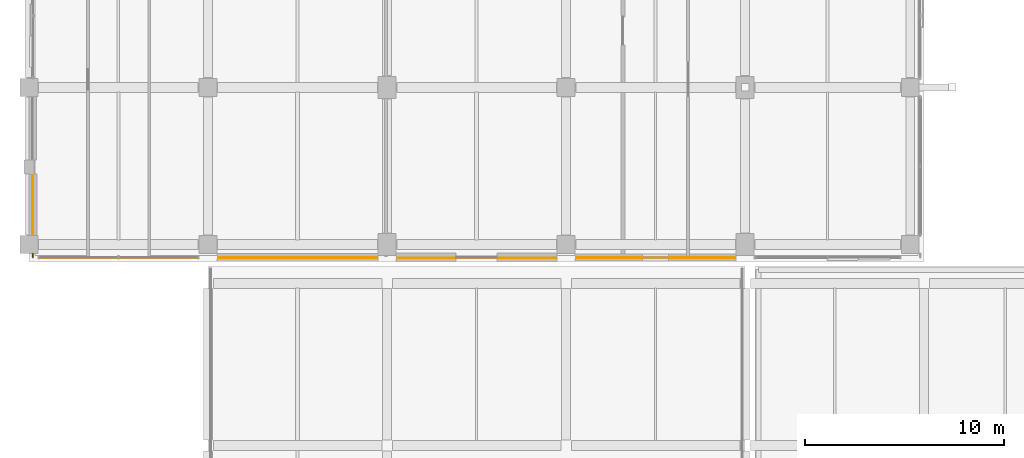
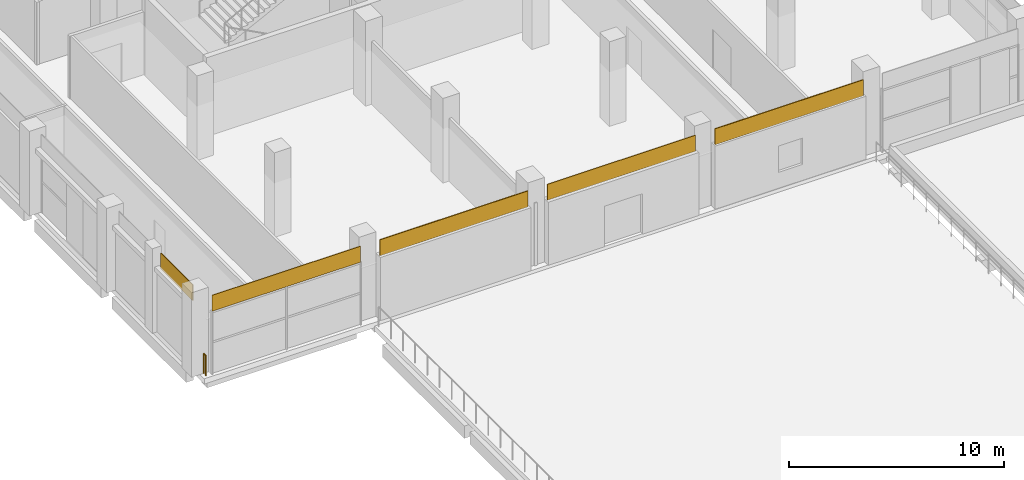
# One storey, part 64 of 82: 5 coverings, 1 railing.
"""IFC4 building model written with IfcOpenShell, lengths in metres."""

from ifc_helpers import new_model, si_unit, direction, frame, origin, origin_2d, place, context, subcontext, project, spatial, rectangle, circle, extrude, material, layer, layer_set, type_object, element, save


model = new_model("IFC4")

# Units and contexts
model_context = context("Model", 3, precision=1e-05, world=origin(), true_north=direction((0.0, 1.0)))
body_context = subcontext(model_context, "Body", "Model", "MODEL_VIEW")
ifc_project = project(units=[si_unit("LENGTHUNIT", "METRE"), si_unit("AREAUNIT", "SQUARE_METRE"), si_unit("VOLUMEUNIT", "CUBIC_METRE"), si_unit("PLANEANGLEUNIT", "RADIAN"), si_unit("MASSUNIT", "GRAM", prefix="KILO"), si_unit("THERMODYNAMICTEMPERATUREUNIT", "KELVIN"), si_unit("POWERUNIT", "WATT")], contexts=[model_context])

# Site, building, storey
site_placement = place(None, origin())
site = spatial("IfcSite", under=ifc_project, at=site_placement, CompositionType="ELEMENT")
building_placement = place(site_placement, origin())
building = spatial("IfcBuilding", under=site, at=building_placement, Name="Sindhuravela Promenade Stadium", CompositionType="ELEMENT")
storey_placement = place(building_placement, frame((0.0, 0.0, 14.39990234375)))
storey = spatial("IfcBuildingStorey", under=building, at=storey_placement, Name="L03", CompositionType="ELEMENT", Elevation=14.39990234375)

# Coverings
ifc_material_1 = material(Name="Polychrome trencadis ceramic mosaic", Category="masonry")
ifc_layer_1 = layer(ifc_material_1, 0.034912109375)
ifc_layer_set_1 = layer_set([ifc_layer_1], Name="Polychrome trencadis ceramic mosaic")
covering_type_1 = type_object("IfcCoveringType", Name="CV-TRENC-1", PredefinedType="CLADDING", material=ifc_layer_set_1)
for number, where, z_axis, x_axis, name in (
    (1, (22.5, 36.429931640625, 3.55517578125), (0.0, 0.0, 1.0), (-1.0, 0.0, 0.0), "Trencadis ceramic mosaic spandrel frieze WEST L03-98"),
    (2, (4.5, 36.429931640625, 3.55517578125), (0.0, 0.0, 1.0), (-1.0, 0.0, 0.0), "Trencadis ceramic mosaic spandrel frieze WEST L03-100"),
):
    element("IfcCovering", number, at=place(storey_placement, frame(where, z_axis=z_axis, x_axis=x_axis)), inside=storey, type_object=covering_type_1, Name=name, PredefinedType="CLADDING", context=body_context, shape_type="SweptSolid", body=[
        extrude(rectangle(XDim=7.969970703125, YDim=0.034912109375, at=origin_2d()), origin(), (0.0, 0.0, 1.0), 0.905029296875),
    ])
ifc_layer_2 = layer(ifc_material_1, 0.050048828125)
ifc_layer_set_2 = layer_set([ifc_layer_2], Name="Polychrome trencadis ceramic mosaic")
covering_type_2 = type_object("IfcCoveringType", Name="CV-TRENC-2", PredefinedType="CLADDING", material=ifc_layer_set_2)
covering_placement = place(storey_placement, frame((0.179931640625, 39.10009765625, 3.55517578125), z_axis=(0.0, 0.0, 1.0), x_axis=(0.0, 1.0, 0.0)))
element("IfcCovering", 3, at=covering_placement, inside=storey, type_object=covering_type_2, Name="Trencadis ceramic mosaic spandrel frieze WEST L03-63", PredefinedType="CLADDING", context=body_context, shape_type="SweptSolid", body=[
    extrude(rectangle(XDim=2.969970703125, YDim=0.050048828125, at=origin_2d()), origin(), (0.0, 0.0, 1.0), 0.905029296875),
])
for number, where, z_axis, x_axis, name in (
    (4, (31.5, 36.429931640625, 3.55517578125), (0.0, 0.0, 1.0), (-1.0, 0.0, 0.0), "Trencadis ceramic mosaic spandrel frieze WEST L03-97"),
    (5, (13.5, 36.429931640625, 3.55517578125), (0.0, 0.0, 1.0), (-1.0, 0.0, 0.0), "Trencadis ceramic mosaic spandrel frieze WEST L03-99"),
):
    element("IfcCovering", number, at=place(storey_placement, frame(where, z_axis=z_axis, x_axis=x_axis)), inside=storey, type_object=covering_type_2, Name=name, PredefinedType="CLADDING", context=body_context, shape_type="SweptSolid", body=[
        extrude(rectangle(XDim=7.969970703125, YDim=0.050048828125, at=origin_2d()), origin(), (0.0, 0.0, 1.0), 0.905029296875),
    ])

# Railing
ifc_material_2 = material(Name="Architectural wrought steel E350", Category="steel")
railing_type = type_object("IfcRailingType", Name="RL-GRD-1150", PredefinedType="GUARDRAIL", material=ifc_material_2)
railing_placement = place(storey_placement, frame((0.199951171875, 36.449951171875, 0.0)))
element("IfcRailing", 6, at=railing_placement, inside=storey, type_object=railing_type, Name="Perimeter edge return guard WEST L03", PredefinedType="GUARDRAIL", context=body_context, shape_type="SweptSolid", body=[
    extrude(circle(Radius=0.02392578125, at=origin_2d()), frame((0.0, 0.0, 1.1259765625), z_axis=(0.0, 1.0, 0.0), x_axis=(-1.0, 0.0, 0.0)), (0.0, 0.0, 1.0), 0.195068359375),
    extrude(circle(Radius=0.02099609375, at=origin_2d()), origin(), (0.0, 0.0, 1.0), 1.101806640625),
    extrude(circle(Radius=0.02099609375, at=origin_2d()), frame((0.0, 0.195068359375, 0.0)), (0.0, 0.0, 1.0), 1.101806640625),
])

save(model, "model.ifc")
